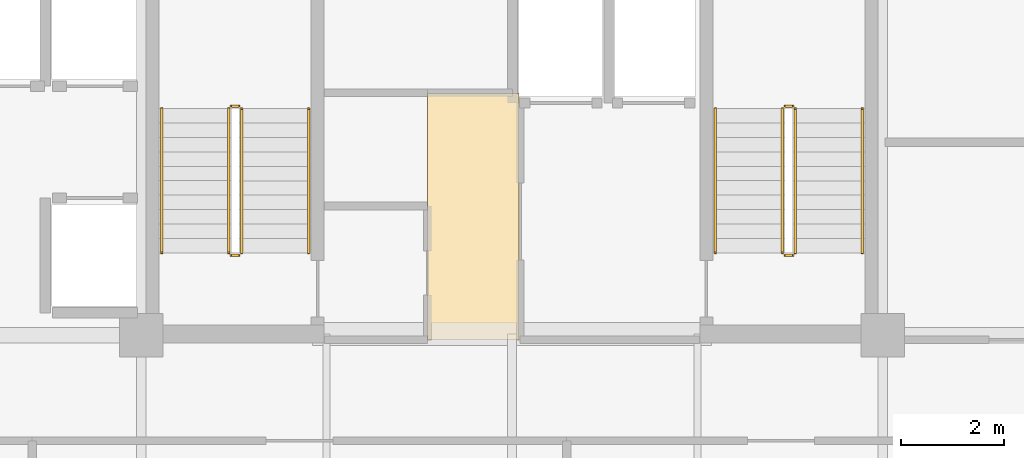
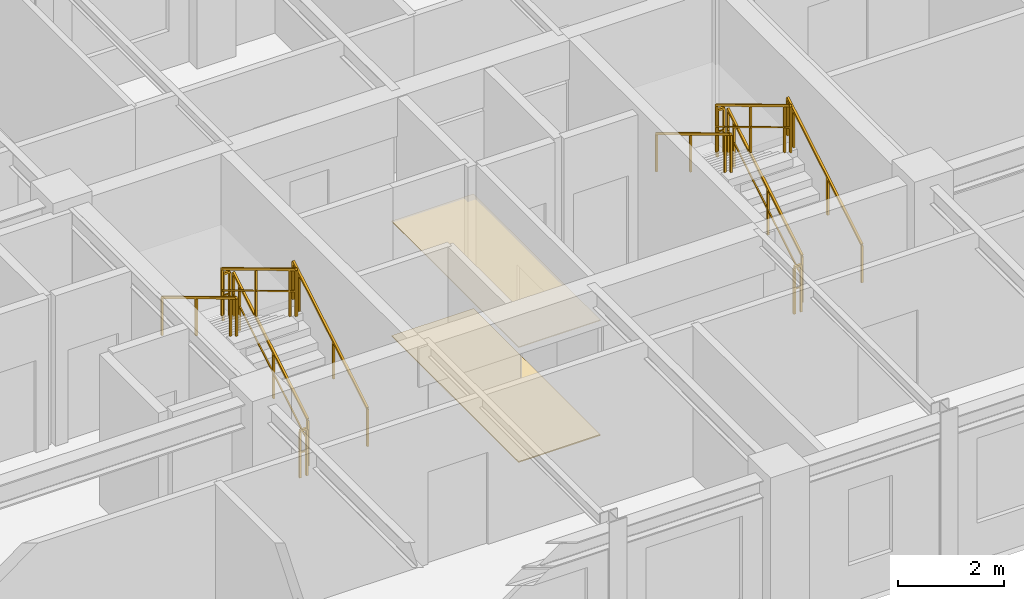
# One storey, part 10 of 11: 12 railings, 2 coverings.
"""IFC4 building model written with IfcOpenShell, lengths in metres."""

import ifcopenshell
import ifcopenshell.guid

model = None  # the IFC model being written
_history = None  # IfcOwnerHistory: only IFC2X3 demands one
_inside = {}  # id of a spatial element -> (the spatial element, [elements in it])
_under = {}  # id of a project, library or spatial element -> (it, [spatial elements below it])
_declared = {}  # id of a project -> (the project, [libraries it declares])
_typed = {}  # id of a type object -> (the type object, [elements of that type])
_made_of = {}  # id of a material, layer set ... -> (it, [elements and type objects made of it])


def new_model(schema):
    """Start an empty IFC model of exactly this schema.

    Asked for "IFC4X3", IfcOpenShell would pick the latest addendum, in which some entities
    have other attributes; the version numbers below select the first issue.
    IFC2X3 requires an IfcOwnerHistory on every rooted entity: one is made here for all.
    """
    global model, _history
    if schema == "IFC4X3":
        model = ifcopenshell.file(schema_version=(4, 3, 0, 0))
    else:
        model = ifcopenshell.file(schema=schema)
    _inside.clear()
    _under.clear()
    _declared.clear()
    _typed.clear()
    _made_of.clear()
    _history = None
    if model.schema == "IFC2X3":
        org = make("IfcOrganization", Name="unknown")
        user = make(
            "IfcPersonAndOrganization",
            ThePerson=make("IfcPerson", FamilyName="unknown"),
            TheOrganization=org,
        )
        app = make(
            "IfcApplication",
            ApplicationDeveloper=org,
            Version="unknown",
            ApplicationFullName="unknown",
            ApplicationIdentifier="unknown",
        )
        _history = make(
            "IfcOwnerHistory",
            OwningUser=user,
            OwningApplication=app,
            ChangeAction="ADDED",
            CreationDate=0,
        )
    return model


def make(cls, **values):
    """One entity of the class cls with the attributes given. An attribute that is None is left unset."""
    return model.create_entity(
        cls, **{name: value for name, value in values.items() if value is not None}
    )


def rooted(cls, **values):
    """An entity with a GlobalId (a new one), such as an element, a storey or a relation."""
    return make(cls, GlobalId=ifcopenshell.guid.new(), OwnerHistory=_history, **values)


def si_unit(unit_type, name, prefix=None):
    """IfcSIUnit, for example si_unit("LENGTHUNIT", "METRE", prefix="MILLI")."""
    return make("IfcSIUnit", UnitType=unit_type, Prefix=prefix, Name=name)


def assignment(units):
    """IfcUnitAssignment: the units of a project."""
    return None if units is None else make("IfcUnitAssignment", Units=units)


def point(xyz):
    """IfcCartesianPoint."""
    return None if xyz is None else make("IfcCartesianPoint", Coordinates=xyz)


def direction(xyz):
    """IfcDirection."""
    return None if xyz is None else make("IfcDirection", DirectionRatios=xyz)


def frame(location, z_axis=None, x_axis=None):
    """IfcAxis2Placement3D, a coordinate frame: its origin and axes. An axis left out is left unset."""
    return make(
        "IfcAxis2Placement3D",
        Location=point(location),
        Axis=direction(z_axis),
        RefDirection=direction(x_axis),
    )


def frame_2d(location, x_axis=None):
    """IfcAxis2Placement2D, a coordinate frame in the plane: its origin and x axis."""
    return make(
        "IfcAxis2Placement2D", Location=point(location), RefDirection=direction(x_axis)
    )


def origin():
    """The frame at (0, 0, 0) with its axes left unset."""
    return frame((0.0, 0.0, 0.0))


def origin_2d():
    """The frame at (0, 0) in the plane with its x axis left unset."""
    return frame_2d((0.0, 0.0))


def place(relative_to, where):
    """IfcLocalPlacement: puts the frame where relative to a parent placement (None: the world)."""
    return make(
        "IfcLocalPlacement", PlacementRelTo=relative_to, RelativePlacement=where
    )


def context(
    kind, dimensions, precision=None, world=None, true_north=None, identifier=None
):
    """IfcGeometricRepresentationContext, for example the 3D "Model" context."""
    return make(
        "IfcGeometricRepresentationContext",
        ContextIdentifier=identifier,
        ContextType=kind,
        CoordinateSpaceDimension=dimensions,
        Precision=precision,
        WorldCoordinateSystem=world,
        TrueNorth=true_north,
    )


def subcontext(parent, identifier, kind, view, scale=None):
    """IfcGeometricRepresentationSubContext, for example "Body" below "Model"."""
    return make(
        "IfcGeometricRepresentationSubContext",
        ContextIdentifier=identifier,
        ContextType=kind,
        ParentContext=parent,
        TargetScale=scale,
        TargetView=view,
    )


def project(units=None, contexts=None):
    """IfcProject with its units and contexts."""
    return rooted(
        "IfcProject",
        Name="project",
        RepresentationContexts=contexts,
        UnitsInContext=assignment(units),
    )


def spatial(cls, under=None, at=None, **own):
    """A site, building, storey or space (cls), placed at a placement, below another one or the project."""
    s = rooted(cls, ObjectPlacement=at, **own)
    if under is not None:
        _under.setdefault(under.id(), (under, []))[1].append(s)
    return s


def profile(cls, at=None, kind="AREA", **sizes):
    """A parametric profile (cls). Its sizes go by their IFC names, for example OverallWidth=200.0."""
    return make(cls, ProfileType=kind, Position=at, **sizes)


def rectangle(**sizes):
    """IfcRectangleProfileDef."""
    return profile("IfcRectangleProfileDef", **sizes)


def extrude(swept, where, along, depth):
    """IfcExtrudedAreaSolid: the profile swept, set in the frame where, extruded along a direction by depth."""
    return make(
        "IfcExtrudedAreaSolid",
        SweptArea=swept,
        Position=where,
        ExtrudedDirection=direction(along),
        Depth=depth,
    )


def shape(context_of_items, identifier, shape_type, items):
    """IfcShapeRepresentation: the items that make up one representation, for example the "Body"."""
    return make(
        "IfcShapeRepresentation",
        ContextOfItems=context_of_items,
        RepresentationIdentifier=identifier,
        RepresentationType=shape_type,
        Items=items,
    )


def source(mapping_origin, context_of_items, identifier, shape_type, items):
    """IfcRepresentationMap: a shape defined once, which mapped items show again and again."""
    return make(
        "IfcRepresentationMap",
        MappingOrigin=mapping_origin,
        MappedRepresentation=shape(context_of_items, identifier, shape_type, items),
    )


def transform(
    local_origin,
    x_axis=None,
    y_axis=None,
    z_axis=None,
    scale=None,
    scale2=None,
    scale3=None,
    uniform=True,
):
    """IfcCartesianTransformationOperator3D, or its non-uniform kind. x_axis, y_axis, z_axis: its Axis1, 2, 3."""
    if uniform:
        return make(
            "IfcCartesianTransformationOperator3D",
            Axis1=direction(x_axis),
            Axis2=direction(y_axis),
            LocalOrigin=point(local_origin),
            Scale=scale,
            Axis3=direction(z_axis),
        )
    return make(
        "IfcCartesianTransformationOperator3DnonUniform",
        Axis1=direction(x_axis),
        Axis2=direction(y_axis),
        LocalOrigin=point(local_origin),
        Scale=scale,
        Axis3=direction(z_axis),
        Scale2=scale2,
        Scale3=scale3,
    )


def mapped(mapping_source, mapping_target):
    """IfcMappedItem: shows the shape of a source again, moved by a transform."""
    return make(
        "IfcMappedItem", MappingSource=mapping_source, MappingTarget=mapping_target
    )


def material(Name=None, Category=None):
    """IfcMaterial."""
    return make("IfcMaterial", Name=Name, Category=Category)


def layer(
    of_material, thickness, ventilated=None, Name=None, Category=None, Priority=None
):
    """IfcMaterialLayer: one layer of a wall or slab, of a material (None: an air gap)."""
    return make(
        "IfcMaterialLayer",
        Material=of_material,
        LayerThickness=thickness,
        IsVentilated=ventilated,
        Name=Name,
        Category=Category,
        Priority=Priority,
    )


def layer_set(layers, Name=None):
    """IfcMaterialLayerSet."""
    return make("IfcMaterialLayerSet", MaterialLayers=layers, LayerSetName=Name)


def made_of(thing, what):
    """Note that an element or type object is made of a material, layer set ...; save() writes the relation."""
    if what is not None:
        _made_of.setdefault(what.id(), (what, []))[1].append(thing)
    return thing


def type_object(cls, material=None, **own):
    """A type object (cls), such as IfcWallType, which elements share."""
    return made_of(rooted(cls, **own), material)


def element(
    cls,
    number,
    at=None,
    inside=None,
    cuts=None,
    type_object=None,
    material=None,
    context=None,
    identifier="Body",
    shape_type=None,
    held_by="IfcProductDefinitionShape",
    body=None,
    shapes=None,
    **own,
):
    """One element of the class cls, such as IfcWall. Its Tag is "e" and its number.

    at: its placement. inside: the storey or other place that contains it. cuts: it is an
    opening in that element (IfcRelVoidsElement). A single representation is given by context,
    identifier, shape_type and body (its items); several are given by shapes. held_by: the class
    of the entity that holds the representations. save() writes the other relations.
    """
    e = rooted(cls, Tag="e%d" % number, ObjectPlacement=at, **own)
    if body is not None:
        shapes = [shape(context, identifier, shape_type, body)]
    if shapes is not None:
        e.Representation = make(held_by, Representations=shapes)
    if inside is not None:
        _inside.setdefault(inside.id(), (inside, []))[1].append(e)
    if cuts is not None:
        rooted(
            "IfcRelVoidsElement", RelatingBuildingElement=cuts, RelatedOpeningElement=e
        )
    if type_object is not None:
        _typed.setdefault(type_object.id(), (type_object, []))[1].append(e)
    return made_of(e, material)


def aggregate(whole, parts):
    """IfcRelAggregates: a whole, such as a stair, and the parts it consists of."""
    return rooted("IfcRelAggregates", RelatingObject=whole, RelatedObjects=parts)


def save(model, path):
    """Write the relations noted so far, then the file.

    IfcRelAggregates (storeys below a building ...), IfcRelContainedInSpatialStructure (elements
    in a storey), IfcRelDefinesByType, IfcRelAssociatesMaterial and IfcRelDeclares: one each for
    every whole, place, type object, material and project.
    """
    for whole, parts in _under.values():
        aggregate(whole, parts)
    for where, things in _inside.values():
        rooted(
            "IfcRelContainedInSpatialStructure",
            RelatedElements=things,
            RelatingStructure=where,
        )
    for kind, things in _typed.values():
        rooted("IfcRelDefinesByType", RelatedObjects=things, RelatingType=kind)
    for what, things in _made_of.values():
        rooted("IfcRelAssociatesMaterial", RelatedObjects=things, RelatingMaterial=what)
    for by, libraries in _declared.values():
        rooted("IfcRelDeclares", RelatingContext=by, RelatedDefinitions=libraries)
    model.write(path)


model = new_model("IFC4")

# Units and contexts
model_context = context("Model", 3, precision=1e-05, world=origin(), true_north=direction((0.0, 1.0)))
body_context = subcontext(model_context, "Body", "Model", "MODEL_VIEW")
ifc_project = project(units=[si_unit("LENGTHUNIT", "METRE"), si_unit("AREAUNIT", "SQUARE_METRE"), si_unit("VOLUMEUNIT", "CUBIC_METRE"), si_unit("PLANEANGLEUNIT", "RADIAN"), si_unit("MASSUNIT", "GRAM", prefix="KILO")], contexts=[model_context])

# Site, building, storey
site_placement = place(None, origin())
site = spatial("IfcSite", under=ifc_project, at=site_placement, CompositionType="ELEMENT")
building_placement = place(site_placement, origin())
building = spatial("IfcBuilding", under=site, at=building_placement, Name="Kaliganga Portal Commons", CompositionType="ELEMENT")
storey_placement = place(building_placement, frame((0.0, 0.0, 261.0)))
storey = spatial("IfcBuildingStorey", under=building, at=storey_placement, Name="L67", CompositionType="ELEMENT", Elevation=261.0)

# Railings
ifc_material_1 = material(Name="Galvanized Painted Steel Balustrade", Category="steel")
railing_type_1 = type_object("IfcRailingType", Name="RLG-STAIR-GRD", PredefinedType="GUARDRAIL", material=ifc_material_1)
railing_1_placement = place(storey_placement, frame((16.35009765625, 30.25, 0.168212890625)))
element("IfcRailing", 1, at=railing_1_placement, inside=storey, type_object=railing_type_1, Name="L67 ST-A1 stair guard 1", PredefinedType="GUARDRAIL", context=body_context, shape_type="SweptSolid", body=[
    extrude(rectangle(XDim=0.048095703125, YDim=0.048095703125, at=origin_2d()), frame((0.0, 0.0, 1.072021484375), z_axis=(0.0, 0.857242210791, 0.514913383045), x_axis=(-1.0, 0.0, 0.0)), (0.0, 0.0, 1.0), 3.266357421875),
    extrude(rectangle(XDim=0.028076171875, YDim=0.028076171875, at=origin_2d()), frame((0.0, 0.0, 0.572021484375), z_axis=(0.0, 0.857242210791, 0.514913383045), x_axis=(-1.0, 0.0, 0.0)), (0.0, 0.0, 1.0), 3.266357421875),
    extrude(rectangle(XDim=0.0419921875, YDim=0.0419921875, at=origin_2d()), origin(), (0.0, 0.0, 1.0), 1.052001953125),
    extrude(rectangle(XDim=0.0419921875, YDim=0.0419921875, at=origin_2d()), frame((0.0, 1.285888671875, 0.7724609375)), (0.0, 0.0, 1.0), 1.052001953125),
    extrude(rectangle(XDim=0.0419921875, YDim=0.0419921875, at=origin_2d()), frame((0.0, 2.57177734375, 1.544677734375)), (0.0, 0.0, 1.0), 1.052001953125),
    extrude(rectangle(XDim=0.0419921875, YDim=0.0419921875, at=origin_2d()), frame((0.0, 2.800048828125, 1.681884765625)), (0.0, 0.0, 1.0), 1.052001953125),
])
railing_2_placement = place(storey_placement, frame((16.300048828125, 33.10009765625, 1.85009765625)))
element("IfcRailing", 2, at=railing_2_placement, inside=storey, type_object=railing_type_1, Name="L67 ST-A1 stair guard 2", PredefinedType="GUARDRAIL", context=body_context, shape_type="SweptSolid", body=[
    extrude(rectangle(XDim=0.048095703125, YDim=0.048095703125, at=origin_2d()), frame((0.0, 0.0, 1.076171875), z_axis=(-1.0, 0.0, 0.0), x_axis=(0.0, -1.0, 0.0)), (0.0, 0.0, 1.0), 0.150146484375),
    extrude(rectangle(XDim=0.028076171875, YDim=0.028076171875, at=origin_2d()), frame((0.0, 0.0, 0.572021484375), z_axis=(-1.0, 0.0, 0.0), x_axis=(0.0, -1.0, 0.0)), (0.0, 0.0, 1.0), 0.150146484375),
    extrude(rectangle(XDim=0.0419921875, YDim=0.0419921875, at=origin_2d()), origin(), (0.0, 0.0, 1.0), 1.052001953125),
    extrude(rectangle(XDim=0.0419921875, YDim=0.0419921875, at=origin_2d()), frame((-0.150146484375, 0.0, 0.0)), (0.0, 0.0, 1.0), 1.052001953125),
])
railing_3_placement = place(storey_placement, frame((16.10009765625, 33.050048828125, 2.01806640625)))
element("IfcRailing", 3, at=railing_3_placement, inside=storey, type_object=railing_type_1, Name="L67 ST-A1 stair guard 3", PredefinedType="GUARDRAIL", context=body_context, shape_type="SweptSolid", body=[
    extrude(rectangle(XDim=0.048095703125, YDim=0.048095703125, at=origin_2d()), frame((0.0, 0.0, 1.072021484375), z_axis=(0.0, -0.857242210791, 0.514913383045), x_axis=(1.0, 0.0, 0.0)), (0.0, 0.0, 1.0), 3.266357421875),
    extrude(rectangle(XDim=0.028076171875, YDim=0.028076171875, at=origin_2d()), frame((0.0, 0.0, 0.572021484375), z_axis=(0.0, -0.857242210791, 0.514913383045), x_axis=(1.0, 0.0, 0.0)), (0.0, 0.0, 1.0), 3.266357421875),
    extrude(rectangle(XDim=0.0419921875, YDim=0.0419921875, at=origin_2d()), origin(), (0.0, 0.0, 1.0), 1.052001953125),
    extrude(rectangle(XDim=0.0419921875, YDim=0.0419921875, at=origin_2d()), frame((0.0, -1.285888671875, 0.7724609375)), (0.0, 0.0, 1.0), 1.052001953125),
    extrude(rectangle(XDim=0.0419921875, YDim=0.0419921875, at=origin_2d()), frame((0.0, -2.57177734375, 1.544677734375)), (0.0, 0.0, 1.0), 1.052001953125),
    extrude(rectangle(XDim=0.0419921875, YDim=0.0419921875, at=origin_2d()), frame((0.0, -2.800048828125, 1.681884765625)), (0.0, 0.0, 1.0), 1.052001953125),
])
railing_4_placement = place(storey_placement, frame((16.300048828125, 30.199951171875, 0.0)))
element("IfcRailing", 4, at=railing_4_placement, inside=storey, type_object=railing_type_1, Name="L67 ST-A1 stair guard 4", PredefinedType="GUARDRAIL", context=body_context, shape_type="SweptSolid", body=[
    extrude(rectangle(XDim=0.048095703125, YDim=0.048095703125, at=origin_2d()), frame((0.0, 0.0, 1.076171875), z_axis=(-1.0, 0.0, 0.0), x_axis=(0.0, -1.0, 0.0)), (0.0, 0.0, 1.0), 0.150146484375),
    extrude(rectangle(XDim=0.028076171875, YDim=0.028076171875, at=origin_2d()), frame((0.0, 0.0, 0.572021484375), z_axis=(-1.0, 0.0, 0.0), x_axis=(0.0, -1.0, 0.0)), (0.0, 0.0, 1.0), 0.150146484375),
    extrude(rectangle(XDim=0.0419921875, YDim=0.0419921875, at=origin_2d()), origin(), (0.0, 0.0, 1.0), 1.052001953125),
    extrude(rectangle(XDim=0.0419921875, YDim=0.0419921875, at=origin_2d()), frame((-0.150146484375, 0.0, 0.0)), (0.0, 0.0, 1.0), 1.052001953125),
])
railing_5_placement = place(storey_placement, frame((27.10009765625, 30.25, 0.168212890625)))
element("IfcRailing", 5, at=railing_5_placement, inside=storey, type_object=railing_type_1, Name="L67 ST-A2 stair guard 1", PredefinedType="GUARDRAIL", context=body_context, shape_type="SweptSolid", body=[
    extrude(rectangle(XDim=0.048095703125, YDim=0.048095703125, at=origin_2d()), frame((0.0, 0.0, 1.072021484375), z_axis=(0.0, 0.857242210791, 0.514913383045), x_axis=(-1.0, 0.0, 0.0)), (0.0, 0.0, 1.0), 3.266357421875),
    extrude(rectangle(XDim=0.028076171875, YDim=0.028076171875, at=origin_2d()), frame((0.0, 0.0, 0.572021484375), z_axis=(0.0, 0.857242210791, 0.514913383045), x_axis=(-1.0, 0.0, 0.0)), (0.0, 0.0, 1.0), 3.266357421875),
    extrude(rectangle(XDim=0.0419921875, YDim=0.0419921875, at=origin_2d()), origin(), (0.0, 0.0, 1.0), 1.052001953125),
    extrude(rectangle(XDim=0.0419921875, YDim=0.0419921875, at=origin_2d()), frame((0.0, 1.285888671875, 0.7724609375)), (0.0, 0.0, 1.0), 1.052001953125),
    extrude(rectangle(XDim=0.0419921875, YDim=0.0419921875, at=origin_2d()), frame((0.0, 2.57177734375, 1.544677734375)), (0.0, 0.0, 1.0), 1.052001953125),
    extrude(rectangle(XDim=0.0419921875, YDim=0.0419921875, at=origin_2d()), frame((0.0, 2.800048828125, 1.681884765625)), (0.0, 0.0, 1.0), 1.052001953125),
])
railing_6_placement = place(storey_placement, frame((27.050048828125, 33.10009765625, 1.85009765625)))
element("IfcRailing", 6, at=railing_6_placement, inside=storey, type_object=railing_type_1, Name="L67 ST-A2 stair guard 2", PredefinedType="GUARDRAIL", context=body_context, shape_type="SweptSolid", body=[
    extrude(rectangle(XDim=0.048095703125, YDim=0.048095703125, at=origin_2d()), frame((0.0, 0.0, 1.076171875), z_axis=(-1.0, 0.0, 0.0), x_axis=(0.0, -1.0, 0.0)), (0.0, 0.0, 1.0), 0.150146484375),
    extrude(rectangle(XDim=0.028076171875, YDim=0.028076171875, at=origin_2d()), frame((0.0, 0.0, 0.572021484375), z_axis=(-1.0, 0.0, 0.0), x_axis=(0.0, -1.0, 0.0)), (0.0, 0.0, 1.0), 0.150146484375),
    extrude(rectangle(XDim=0.0419921875, YDim=0.0419921875, at=origin_2d()), origin(), (0.0, 0.0, 1.0), 1.052001953125),
    extrude(rectangle(XDim=0.0419921875, YDim=0.0419921875, at=origin_2d()), frame((-0.150146484375, 0.0, 0.0)), (0.0, 0.0, 1.0), 1.052001953125),
])
railing_7_placement = place(storey_placement, frame((26.85009765625, 33.050048828125, 2.01806640625)))
element("IfcRailing", 7, at=railing_7_placement, inside=storey, type_object=railing_type_1, Name="L67 ST-A2 stair guard 3", PredefinedType="GUARDRAIL", context=body_context, shape_type="SweptSolid", body=[
    extrude(rectangle(XDim=0.048095703125, YDim=0.048095703125, at=origin_2d()), frame((0.0, 0.0, 1.072021484375), z_axis=(0.0, -0.857242210791, 0.514913383045), x_axis=(1.0, 0.0, 0.0)), (0.0, 0.0, 1.0), 3.266357421875),
    extrude(rectangle(XDim=0.028076171875, YDim=0.028076171875, at=origin_2d()), frame((0.0, 0.0, 0.572021484375), z_axis=(0.0, -0.857242210791, 0.514913383045), x_axis=(1.0, 0.0, 0.0)), (0.0, 0.0, 1.0), 3.266357421875),
    extrude(rectangle(XDim=0.0419921875, YDim=0.0419921875, at=origin_2d()), origin(), (0.0, 0.0, 1.0), 1.052001953125),
    extrude(rectangle(XDim=0.0419921875, YDim=0.0419921875, at=origin_2d()), frame((0.0, -1.285888671875, 0.7724609375)), (0.0, 0.0, 1.0), 1.052001953125),
    extrude(rectangle(XDim=0.0419921875, YDim=0.0419921875, at=origin_2d()), frame((0.0, -2.57177734375, 1.544677734375)), (0.0, 0.0, 1.0), 1.052001953125),
    extrude(rectangle(XDim=0.0419921875, YDim=0.0419921875, at=origin_2d()), frame((0.0, -2.800048828125, 1.681884765625)), (0.0, 0.0, 1.0), 1.052001953125),
])
railing_8_placement = place(storey_placement, frame((27.050048828125, 30.199951171875, 0.0)))
element("IfcRailing", 8, at=railing_8_placement, inside=storey, type_object=railing_type_1, Name="L67 ST-A2 stair guard 4", PredefinedType="GUARDRAIL", context=body_context, shape_type="SweptSolid", body=[
    extrude(rectangle(XDim=0.048095703125, YDim=0.048095703125, at=origin_2d()), frame((0.0, 0.0, 1.076171875), z_axis=(-1.0, 0.0, 0.0), x_axis=(0.0, -1.0, 0.0)), (0.0, 0.0, 1.0), 0.150146484375),
    extrude(rectangle(XDim=0.028076171875, YDim=0.028076171875, at=origin_2d()), frame((0.0, 0.0, 0.572021484375), z_axis=(-1.0, 0.0, 0.0), x_axis=(0.0, -1.0, 0.0)), (0.0, 0.0, 1.0), 0.150146484375),
    extrude(rectangle(XDim=0.0419921875, YDim=0.0419921875, at=origin_2d()), origin(), (0.0, 0.0, 1.0), 1.052001953125),
    extrude(rectangle(XDim=0.0419921875, YDim=0.0419921875, at=origin_2d()), frame((-0.150146484375, 0.0, 0.0)), (0.0, 0.0, 1.0), 1.052001953125),
])
ifc_material_2 = material(Name="Brushed Stainless Steel 316", Category="steel")
railing_type_2 = type_object("IfcRailingType", Name="RLG-STAIR-HR", PredefinedType="HANDRAIL", material=ifc_material_2)
railing_9_placement = place(storey_placement, frame((17.64990234375, 30.25, 0.168212890625)))
element("IfcRailing", 9, at=railing_9_placement, inside=storey, type_object=railing_type_2, Name="L67 ST-A1 stair handrail 1", PredefinedType="HANDRAIL", context=body_context, shape_type="SweptSolid", body=[
    extrude(rectangle(XDim=0.048095703125, YDim=0.048095703125, at=origin_2d()), frame((0.0, 0.0, 0.871826171875), z_axis=(0.0, 0.857242210791, 0.514913383045), x_axis=(-1.0, 0.0, 0.0)), (0.0, 0.0, 1.0), 3.266357421875),
    extrude(rectangle(XDim=0.0419921875, YDim=0.0419921875, at=origin_2d()), origin(), (0.0, 0.0, 1.0), 0.851806640625),
    extrude(rectangle(XDim=0.0419921875, YDim=0.0419921875, at=origin_2d()), frame((0.0, 1.285888671875, 0.7724609375)), (0.0, 0.0, 1.0), 0.851806640625),
    extrude(rectangle(XDim=0.0419921875, YDim=0.0419921875, at=origin_2d()), frame((0.0, 2.57177734375, 1.544677734375)), (0.0, 0.0, 1.0), 0.851806640625),
    extrude(rectangle(XDim=0.0419921875, YDim=0.0419921875, at=origin_2d()), frame((0.0, 2.800048828125, 1.681884765625)), (0.0, 0.0, 1.0), 0.851806640625),
])
railing_10_placement = place(storey_placement, frame((14.800048828125, 33.050048828125, 2.01806640625)))
element("IfcRailing", 10, at=railing_10_placement, inside=storey, type_object=railing_type_2, Name="L67 ST-A1 stair handrail 2", PredefinedType="HANDRAIL", context=body_context, shape_type="SweptSolid", body=[
    extrude(rectangle(XDim=0.048095703125, YDim=0.048095703125, at=origin_2d()), frame((0.0, 0.0, 0.871826171875), z_axis=(0.0, -0.857242210791, 0.514913383045), x_axis=(1.0, 0.0, 0.0)), (0.0, 0.0, 1.0), 3.266357421875),
    extrude(rectangle(XDim=0.0419921875, YDim=0.0419921875, at=origin_2d()), origin(), (0.0, 0.0, 1.0), 0.851806640625),
    extrude(rectangle(XDim=0.0419921875, YDim=0.0419921875, at=origin_2d()), frame((0.0, -1.285888671875, 0.7724609375)), (0.0, 0.0, 1.0), 0.851806640625),
    extrude(rectangle(XDim=0.0419921875, YDim=0.0419921875, at=origin_2d()), frame((0.0, -2.57177734375, 1.544677734375)), (0.0, 0.0, 1.0), 0.851806640625),
    extrude(rectangle(XDim=0.0419921875, YDim=0.0419921875, at=origin_2d()), frame((0.0, -2.800048828125, 1.681884765625)), (0.0, 0.0, 1.0), 0.851806640625),
])
railing_11_placement = place(storey_placement, frame((28.39990234375, 30.25, 0.168212890625)))
element("IfcRailing", 11, at=railing_11_placement, inside=storey, type_object=railing_type_2, Name="L67 ST-A2 stair handrail 1", PredefinedType="HANDRAIL", context=body_context, shape_type="SweptSolid", body=[
    extrude(rectangle(XDim=0.048095703125, YDim=0.048095703125, at=origin_2d()), frame((0.0, 0.0, 0.871826171875), z_axis=(0.0, 0.857242210791, 0.514913383045), x_axis=(-1.0, 0.0, 0.0)), (0.0, 0.0, 1.0), 3.266357421875),
    extrude(rectangle(XDim=0.0419921875, YDim=0.0419921875, at=origin_2d()), origin(), (0.0, 0.0, 1.0), 0.851806640625),
    extrude(rectangle(XDim=0.0419921875, YDim=0.0419921875, at=origin_2d()), frame((0.0, 1.285888671875, 0.7724609375)), (0.0, 0.0, 1.0), 0.851806640625),
    extrude(rectangle(XDim=0.0419921875, YDim=0.0419921875, at=origin_2d()), frame((0.0, 2.57177734375, 1.544677734375)), (0.0, 0.0, 1.0), 0.851806640625),
    extrude(rectangle(XDim=0.0419921875, YDim=0.0419921875, at=origin_2d()), frame((0.0, 2.800048828125, 1.681884765625)), (0.0, 0.0, 1.0), 0.851806640625),
])
railing_12_placement = place(storey_placement, frame((25.550048828125, 33.050048828125, 2.01806640625)))
element("IfcRailing", 12, at=railing_12_placement, inside=storey, type_object=railing_type_2, Name="L67 ST-A2 stair handrail 2", PredefinedType="HANDRAIL", context=body_context, shape_type="SweptSolid", body=[
    extrude(rectangle(XDim=0.048095703125, YDim=0.048095703125, at=origin_2d()), frame((0.0, 0.0, 0.871826171875), z_axis=(0.0, -0.857242210791, 0.514913383045), x_axis=(1.0, 0.0, 0.0)), (0.0, 0.0, 1.0), 3.266357421875),
    extrude(rectangle(XDim=0.0419921875, YDim=0.0419921875, at=origin_2d()), origin(), (0.0, 0.0, 1.0), 0.851806640625),
    extrude(rectangle(XDim=0.0419921875, YDim=0.0419921875, at=origin_2d()), frame((0.0, -1.285888671875, 0.7724609375)), (0.0, 0.0, 1.0), 0.851806640625),
    extrude(rectangle(XDim=0.0419921875, YDim=0.0419921875, at=origin_2d()), frame((0.0, -2.57177734375, 1.544677734375)), (0.0, 0.0, 1.0), 0.851806640625),
    extrude(rectangle(XDim=0.0419921875, YDim=0.0419921875, at=origin_2d()), frame((0.0, -2.800048828125, 1.681884765625)), (0.0, 0.0, 1.0), 0.851806640625),
])

# Coverings
ifc_material_3 = material(Name="Acoustic Micro-Perforated Gypsum Ceiling", Category="gypsum")
ifc_layer_1 = layer(ifc_material_3, 0.02001953125)
ifc_layer_set_1 = layer_set([ifc_layer_1], Name="Acoustic Micro-Perforated Gypsum Ceiling")
covering_type_1 = type_object("IfcCoveringType", Name="COV-CEIL-GYP", PredefinedType="CEILING", material=ifc_layer_set_1)
shared_shape_1 = source(origin(), body_context, "Body", "SweptSolid", [
    extrude(rectangle(XDim=1.780029296875, YDim=4.780029296875, at=origin_2d()), origin(), (0.0, 0.0, 1.0), 0.02001953125),
])
covering_1_placement = place(storey_placement, frame((20.85009765625, 30.949951171875, 2.639892578125), z_axis=(0.0, 0.0, 1.0), x_axis=(1.0, 0.0, 0.0)))
element("IfcCovering", 13, at=covering_1_placement, inside=storey, type_object=covering_type_1, Name="Acoustic Ceiling L67 PLOB_A", PredefinedType="CEILING", context=body_context, shape_type="MappedRepresentation", body=[
    mapped(shared_shape_1, transform((0.0, 0.0, 0.0), x_axis=(1.0, 0.0, 0.0), y_axis=(0.0, 1.0, 0.0), z_axis=(0.0, 0.0, 1.0), scale=1.0)),
])
ifc_material_4 = material(Name="Polished Sylhet Stone Terrazzo Flooring", Category="masonry")
ifc_layer_2 = layer(ifc_material_4, 0.02490234375)
ifc_layer_set_2 = layer_set([ifc_layer_2], Name="Polished Sylhet Stone Terrazzo Flooring")
covering_type_2 = type_object("IfcCoveringType", Name="COV-FLR-TERRAZZO", PredefinedType="FLOORING", material=ifc_layer_set_2)
shared_shape_2 = source(origin(), body_context, "Body", "SweptSolid", [
    extrude(rectangle(XDim=1.780029296875, YDim=4.780029296875, at=origin_2d()), origin(), (0.0, 0.0, 1.0), 0.02490234375),
])
covering_2_placement = place(storey_placement, frame((20.85009765625, 30.949951171875, 0.00048828125), z_axis=(0.0, 0.0, 1.0), x_axis=(1.0, 0.0, 0.0)))
element("IfcCovering", 14, at=covering_2_placement, inside=storey, type_object=covering_type_2, Name="Terrazzo Flooring L67 PLOB_A", PredefinedType="FLOORING", context=body_context, shape_type="MappedRepresentation", body=[
    mapped(shared_shape_2, transform((0.0, 0.0, 0.0), x_axis=(1.0, 0.0, 0.0), y_axis=(0.0, 1.0, 0.0), z_axis=(0.0, 0.0, 1.0), scale=1.0)),
])

save(model, "model.ifc")
